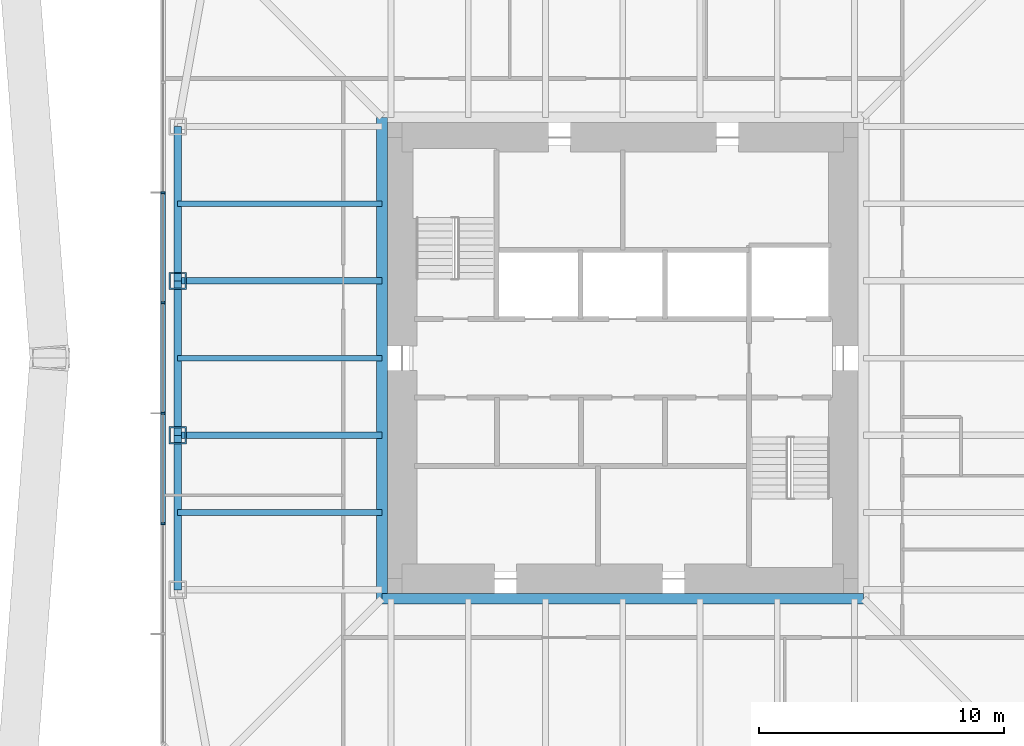
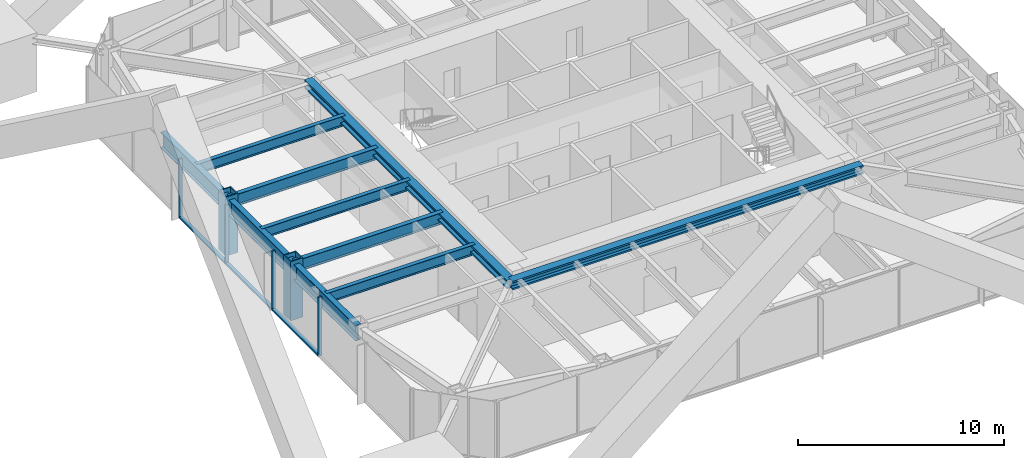
# One storey, part 2 of 11: 10 beams, 9 members, 1 element without a shape of its own.
"""IFC4 building model written with IfcOpenShell, lengths in metres."""

from ifc_helpers import new_model, si_unit, direction, frame, origin, origin_2d, place, context, subcontext, project, spatial, rectangle, hollow_rectangle, i_section, extrude, material, material_profile, profile_set, type_object, element, aggregate, save


model = new_model("IFC4")

# Units and contexts
model_context = context("Model", 3, precision=1e-05, world=origin(), true_north=direction((0.0, 1.0)))
body_context = subcontext(model_context, "Body", "Model", "MODEL_VIEW")
ifc_project = project(units=[si_unit("LENGTHUNIT", "METRE"), si_unit("AREAUNIT", "SQUARE_METRE"), si_unit("VOLUMEUNIT", "CUBIC_METRE"), si_unit("PLANEANGLEUNIT", "RADIAN"), si_unit("MASSUNIT", "GRAM", prefix="KILO")], contexts=[model_context])

# Site, building, storey
site_placement = place(None, origin())
site = spatial("IfcSite", under=ifc_project, at=site_placement, CompositionType="ELEMENT")
building_placement = place(site_placement, origin())
building = spatial("IfcBuilding", under=site, at=building_placement, Name="Iwan Alto Co-Living Towers", CompositionType="ELEMENT")
storey_placement = place(building_placement, frame((0.0, 0.0, 149.5)))
storey = spatial("IfcBuildingStorey", under=building, at=storey_placement, Name="L40", CompositionType="ELEMENT", Elevation=149.5)

# Curtain wall, members
ifc_material_1 = material(Name="Bronze aluminium unitised frame", Category="aluminium")
curtain_wall_type = type_object("IfcCurtainWallType", Name="CURTAIN WALL CW-A", PredefinedType="NOTDEFINED", material=ifc_material_1)
curtain_wall_placement = place(storey_placement, origin())
curtain_wall = element("IfcCurtainWall", 1, at=curtain_wall_placement, inside=storey, type_object=curtain_wall_type, Name="T1 curtain wall W L40", PredefinedType="NOTDEFINED")
ifc_material_2 = material(Name="Aluminium 6063-T6 bronze anodised", Category="aluminium")
ifc_material_profile_1 = material_profile(ifc_material_2, rectangle(XDim=0.199951171875, YDim=0.080078125, at=origin_2d()), Name="AL 80X200")
ifc_profile_set_1 = profile_set([ifc_material_profile_1], Name="Aluminium 6063-T6 bronze anodised")
member_type_1 = type_object("IfcMemberType", Name="CW-A MULLION 80X200", PredefinedType="MULLION", material=ifc_profile_set_1)
member_1_placement = place(storey_placement, frame((-18.75, 6.75, 0.0), z_axis=(0.0, 0.0, 1.0), x_axis=(1.0, 0.0, 0.0)))
member_1 = element("IfcMember", 2, at=member_1_placement, type_object=member_type_1, Name="CW-A mullion 3", PredefinedType="MULLION", context=body_context, shape_type="SweptSolid", body=[
    extrude(rectangle(XDim=0.199951171875, YDim=0.080078125, at=origin_2d()), origin(), (0.0, 0.0, 1.0), 3.5),
])
member_2_placement = place(storey_placement, frame((-18.75, 2.25, 0.0), z_axis=(0.0, 0.0, 1.0), x_axis=(1.0, 0.0, 0.0)))
member_2 = element("IfcMember", 3, at=member_2_placement, type_object=member_type_1, Name="CW-A mullion 4", PredefinedType="MULLION", context=body_context, shape_type="SweptSolid", body=[
    extrude(rectangle(XDim=0.199951171875, YDim=0.080078125, at=origin_2d()), origin(), (0.0, 0.0, 1.0), 3.5),
])
member_3_placement = place(storey_placement, frame((-18.75, -2.25, 0.0), z_axis=(0.0, 0.0, 1.0), x_axis=(1.0, 0.0, 0.0)))
member_3 = element("IfcMember", 4, at=member_3_placement, type_object=member_type_1, Name="CW-A mullion 5", PredefinedType="MULLION", context=body_context, shape_type="SweptSolid", body=[
    extrude(rectangle(XDim=0.199951171875, YDim=0.080078125, at=origin_2d()), origin(), (0.0, 0.0, 1.0), 3.5),
])
member_4_placement = place(storey_placement, frame((-18.75, -6.75, 0.0), z_axis=(0.0, 0.0, 1.0), x_axis=(1.0, 0.0, 0.0)))
member_4 = element("IfcMember", 5, at=member_4_placement, type_object=member_type_1, Name="CW-A mullion 6", PredefinedType="MULLION", context=body_context, shape_type="SweptSolid", body=[
    extrude(rectangle(XDim=0.199951171875, YDim=0.080078125, at=origin_2d()), origin(), (0.0, 0.0, 1.0), 3.5),
])
ifc_material_3 = material(Name="Aluminium 6063-T6 bronze anodised", Category="aluminium")
ifc_material_profile_2 = material_profile(ifc_material_3, rectangle(XDim=0.199951171875, YDim=0.10009765625, at=origin_2d()), Name="AL 200X100")
ifc_profile_set_2 = profile_set([ifc_material_profile_2], Name="Aluminium 6063-T6 bronze anodised")
member_type_2 = type_object("IfcMemberType", Name="CW-A TRANSOM 200X100", PredefinedType="USERDEFINED", material=ifc_profile_set_2)
member_5_placement = place(storey_placement, frame((-18.75, 6.7099609375, 0.050048828125), z_axis=(0.0, -1.0, 0.0), x_axis=(1.0, 0.0, 0.0)))
member_5 = element("IfcMember", 6, at=member_5_placement, type_object=member_type_2, Name="CW-A transom 3.1", ObjectType="TRANSOM", PredefinedType="USERDEFINED", context=body_context, shape_type="SweptSolid", body=[
    extrude(rectangle(XDim=0.199951171875, YDim=0.10009765625, at=origin_2d()), origin(), (0.0, 0.0, 1.0), 4.419921875),
])
member_6_placement = place(storey_placement, frame((-18.75, 2.2099609375, 0.050048828125), z_axis=(0.0, -1.0, 0.0), x_axis=(1.0, 0.0, 0.0)))
member_6 = element("IfcMember", 7, at=member_6_placement, type_object=member_type_2, Name="CW-A transom 4.1", ObjectType="TRANSOM", PredefinedType="USERDEFINED", context=body_context, shape_type="SweptSolid", body=[
    extrude(rectangle(XDim=0.199951171875, YDim=0.10009765625, at=origin_2d()), origin(), (0.0, 0.0, 1.0), 4.419921875),
])
member_7_placement = place(storey_placement, frame((-18.75, -2.2900390625, 0.050048828125), z_axis=(0.0, -1.0, 0.0), x_axis=(1.0, 0.0, 0.0)))
member_7 = element("IfcMember", 8, at=member_7_placement, type_object=member_type_2, Name="CW-A transom 5.1", ObjectType="TRANSOM", PredefinedType="USERDEFINED", context=body_context, shape_type="SweptSolid", body=[
    extrude(rectangle(XDim=0.199951171875, YDim=0.10009765625, at=origin_2d()), origin(), (0.0, 0.0, 1.0), 4.419921875),
])
aggregate(curtain_wall, [member_1, member_2, member_3, member_4, member_5, member_6, member_7])

# Beams
ifc_material_4 = material(Name="Steel ASTM A992 Gr 50", Category="steel")
ifc_material_profile_3 = material_profile(ifc_material_4, i_section(OverallWidth=0.436767578125, OverallDepth=0.51318359375, WebThickness=0.060546875, FlangeThickness=0.096923828125, at=origin_2d()), Name="W14X550")
ifc_profile_set_3 = profile_set([ifc_material_profile_3], Name="Steel ASTM A992 Gr 50")
beam_type_1 = type_object("IfcBeamType", Name="T1 CORE LEDGER BEAM W14X550", PredefinedType="BEAM", material=ifc_profile_set_3)
for number, where, z_axis, x_axis, name in (
    (9, (-9.818359375, -9.818359375, 3.013427734375), (1.0, 0.0, 0.0), (0.0, 1.0, 0.0), "T1 core ledger beam S L41"),
    (10, (-9.818359375, 9.818359375, 3.013427734375), (0.0, -1.0, 0.0), (1.0, 0.0, 0.0), "T1 core ledger beam W L41"),
):
    element("IfcBeam", number, at=place(storey_placement, frame(where, z_axis=z_axis, x_axis=x_axis)), inside=storey, type_object=beam_type_1, Name=name, PredefinedType="BEAM", context=body_context, shape_type="SweptSolid", body=[
        extrude(i_section(OverallWidth=0.436767578125, OverallDepth=0.51318359375, WebThickness=0.060546875, FlangeThickness=0.096923828125, at=origin_2d()), origin(), (0.0, 0.0, 1.0), 19.63671875),
    ])
ifc_material_5 = material(Name="Steel ASTM A992 Gr 50", Category="steel")
ifc_material_profile_4 = material_profile(ifc_material_5, i_section(OverallWidth=0.307373046875, OverallDepth=0.927001953125, WebThickness=0.01953125, FlangeThickness=0.031982421875, at=origin_2d()), Name="W36X194")
ifc_profile_set_4 = profile_set([ifc_material_profile_4], Name="Steel ASTM A992 Gr 50")
beam_type_2 = type_object("IfcBeamType", Name="T1 EDGE BEAM W36X194", PredefinedType="BEAM", material=ifc_profile_set_4)
beam_1_placement = place(storey_placement, frame((-18.14990234375, 9.449951171875, 2.806396484375), z_axis=(0.0, -1.0, 0.0), x_axis=(1.0, 0.0, 0.0)))
element("IfcBeam", 11, at=beam_1_placement, inside=storey, type_object=beam_type_2, Name="T1 edge beam W1 L41", PredefinedType="BEAM", context=body_context, shape_type="SweptSolid", body=[
    extrude(i_section(OverallWidth=0.307373046875, OverallDepth=0.927001953125, WebThickness=0.01953125, FlangeThickness=0.031982421875, at=origin_2d()), origin(), (0.0, 0.0, 1.0), 6.300048828125),
])
beam_2_placement = place(storey_placement, frame((-18.14990234375, 3.14990234375, 2.806396484375), z_axis=(0.0, -1.0, 0.0), x_axis=(1.0, 0.0, 0.0)))
element("IfcBeam", 12, at=beam_2_placement, inside=storey, type_object=beam_type_2, Name="T1 edge beam W2 L41", PredefinedType="BEAM", context=body_context, shape_type="SweptSolid", body=[
    extrude(i_section(OverallWidth=0.307373046875, OverallDepth=0.927001953125, WebThickness=0.01953125, FlangeThickness=0.031982421875, at=origin_2d()), origin(), (0.0, 0.0, 1.0), 6.2998046875),
])
beam_3_placement = place(storey_placement, frame((-18.14990234375, -3.14990234375, 2.806396484375), z_axis=(0.0, -1.0, 0.0), x_axis=(1.0, 0.0, 0.0)))
element("IfcBeam", 13, at=beam_3_placement, inside=storey, type_object=beam_type_2, Name="T1 edge beam W3 L41", PredefinedType="BEAM", context=body_context, shape_type="SweptSolid", body=[
    extrude(i_section(OverallWidth=0.307373046875, OverallDepth=0.927001953125, WebThickness=0.01953125, FlangeThickness=0.031982421875, at=origin_2d()), origin(), (0.0, 0.0, 1.0), 6.300048828125),
])
ifc_material_6 = material(Name="Steel ASTM A992 Gr 50", Category="steel")
ifc_material_profile_5 = material_profile(ifc_material_6, i_section(OverallWidth=0.25390625, OverallDepth=0.683349609375, WebThickness=0.012451171875, FlangeThickness=0.018798828125, at=origin_2d()), Name="W27X94")
ifc_profile_set_5 = profile_set([ifc_material_profile_5], Name="Steel ASTM A992 Gr 50")
beam_type_3 = type_object("IfcBeamType", Name="T1 RADIAL BEAM W27X94", PredefinedType="BEAM", material=ifc_profile_set_5)
for number, where, z_axis, x_axis, name in (
    (14, (-18.14990234375, 3.14990234375, 2.928466796875), (1.0, 0.0, 0.0), (0.0, 1.0, 0.0), "T1 radial beam W2 L41"),
    (15, (-18.14990234375, -3.14990234375, 2.928466796875), (1.0, 0.0, 0.0), (0.0, 1.0, 0.0), "T1 radial beam W3 L41"),
):
    element("IfcBeam", number, at=place(storey_placement, frame(where, z_axis=z_axis, x_axis=x_axis)), inside=storey, type_object=beam_type_3, Name=name, PredefinedType="BEAM", context=body_context, shape_type="SweptSolid", body=[
        extrude(i_section(OverallWidth=0.25390625, OverallDepth=0.683349609375, WebThickness=0.012451171875, FlangeThickness=0.018798828125, at=origin_2d()), origin(), (0.0, 0.0, 1.0), 8.33154296875),
    ])

# Members
ifc_material_7 = material(Name="Steel ASTM A572 Gr 50", Category="steel")
ifc_material_profile_6 = material_profile(ifc_material_7, hollow_rectangle(XDim=0.699951171875, YDim=0.699951171875, WallThickness=0.06005859375, at=origin_2d()), Name="BOX 700X700X60")
ifc_profile_set_6 = profile_set([ifc_material_profile_6], Name="Steel ASTM A572 Gr 50")
member_type_3 = type_object("IfcMemberType", Name="T1 RING POST AT STEP BOX 700X700X60", PredefinedType="MEMBER", material=ifc_profile_set_6)
for number, where, z_axis, x_axis, name in (
    (16, (-18.14990234375, 3.14990234375, 0.0), (0.0, 0.0, 1.0), (1.0, 0.0, 0.0), "T1 ring post at step W2 L40"),
    (17, (-18.14990234375, -3.14990234375, 0.0), (0.0, 0.0, 1.0), (1.0, 0.0, 0.0), "T1 ring post at step W3 L40"),
):
    element("IfcMember", number, at=place(storey_placement, frame(where, z_axis=z_axis, x_axis=x_axis)), inside=storey, type_object=member_type_3, Name=name, PredefinedType="MEMBER", context=body_context, shape_type="SweptSolid", body=[
        extrude(hollow_rectangle(XDim=0.699951171875, YDim=0.699951171875, WallThickness=0.06005859375, at=origin_2d()), origin(), (0.0, 0.0, 1.0), 3.5),
    ])

# Beams
ifc_material_8 = material(Name="Steel ASTM A992 Gr 50", Category="steel")
ifc_material_profile_7 = material_profile(ifc_material_8, i_section(OverallWidth=0.228271484375, OverallDepth=0.607177734375, WebThickness=0.01123046875, FlangeThickness=0.017333984375, at=origin_2d()), Name="W24X76")
ifc_profile_set_7 = profile_set([ifc_material_profile_7], Name="Steel ASTM A992 Gr 50")
beam_type_4 = type_object("IfcBeamType", Name="T1 SECONDARY BEAM W24X76", PredefinedType="JOIST", material=ifc_profile_set_7)
for number, where, z_axis, x_axis, name in (
    (18, (-18.14990234375, 6.300048828125, 2.966552734375), (1.0, 0.0, 0.0), (0.0, 1.0, 0.0), "T1 secondary beam W1 L41"),
    (19, (-18.14990234375, 0.0, 2.966552734375), (1.0, 0.0, 0.0), (0.0, 1.0, 0.0), "T1 secondary beam W2 L41"),
    (20, (-18.14990234375, -6.300048828125, 2.966552734375), (1.0, 0.0, 0.0), (0.0, 1.0, 0.0), "T1 secondary beam W3 L41"),
):
    element("IfcBeam", number, at=place(storey_placement, frame(where, z_axis=z_axis, x_axis=x_axis)), inside=storey, type_object=beam_type_4, Name=name, PredefinedType="JOIST", context=body_context, shape_type="SweptSolid", body=[
        extrude(i_section(OverallWidth=0.228271484375, OverallDepth=0.607177734375, WebThickness=0.01123046875, FlangeThickness=0.017333984375, at=origin_2d()), origin(), (0.0, 0.0, 1.0), 8.33154296875),
    ])

save(model, "model.ifc")
